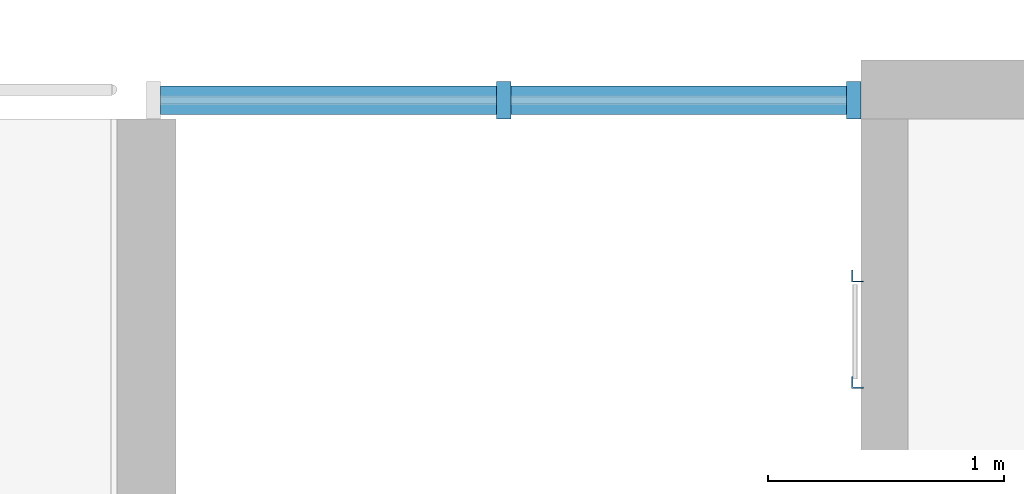
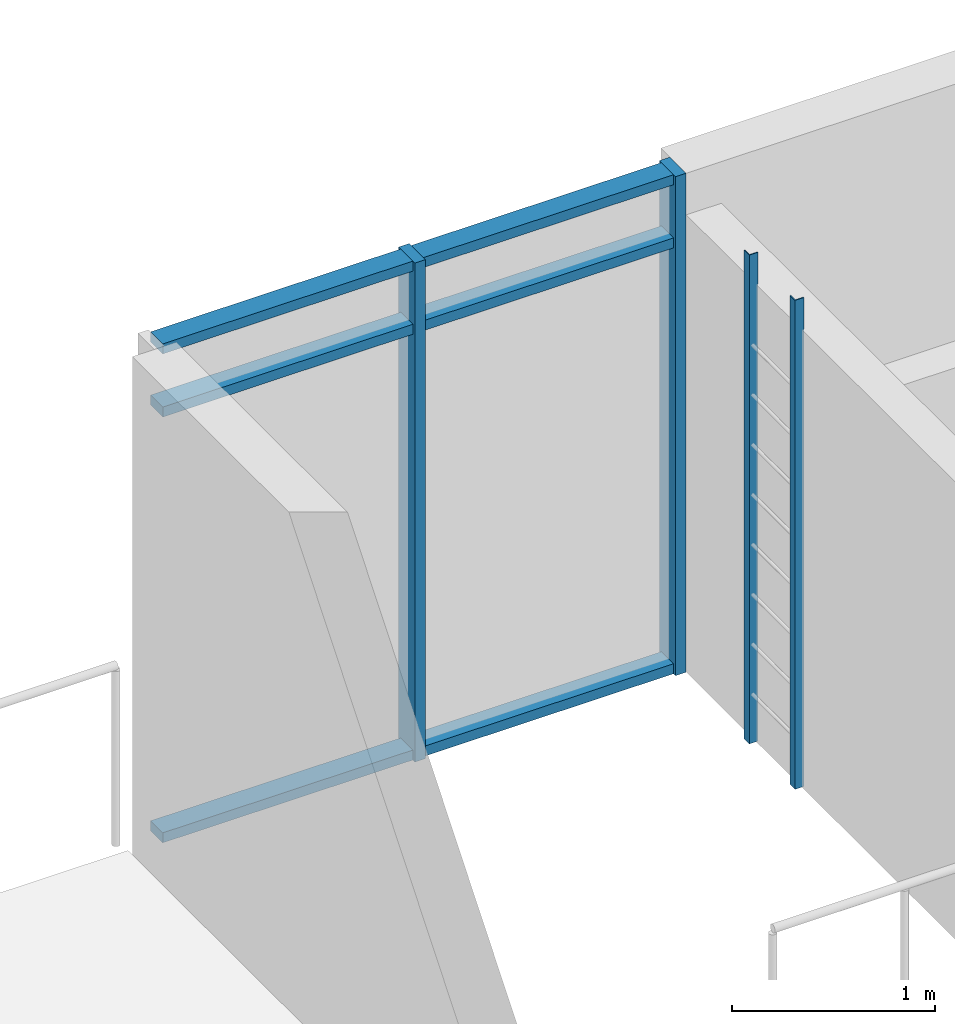
# One storey, part 6 of 55: 10 members, 1 element without a shape of its own.
"""IFC4 building model written with IfcOpenShell, lengths in metres."""

from ifc_helpers import new_model, si_unit, direction, frame, origin, origin_2d, place, context, subcontext, project, spatial, polyline, rectangle, outline, extrude, material, material_profile, profile_set, type_object, element, aggregate, save


model = new_model("IFC4")

# Units and contexts
model_context = context("Model", 3, precision=1e-05, world=origin(), true_north=direction((0.0, 1.0)))
body_context = subcontext(model_context, "Body", "Model", "MODEL_VIEW")
ifc_project = project(units=[si_unit("LENGTHUNIT", "METRE"), si_unit("AREAUNIT", "SQUARE_METRE"), si_unit("VOLUMEUNIT", "CUBIC_METRE"), si_unit("PLANEANGLEUNIT", "RADIAN"), si_unit("MASSUNIT", "GRAM", prefix="KILO")], contexts=[model_context])

# Site, building, storey
site_placement = place(None, origin())
site = spatial("IfcSite", under=ifc_project, at=site_placement, CompositionType="ELEMENT")
building_placement = place(site_placement, origin())
building = spatial("IfcBuilding", under=site, at=building_placement, Name="Ridgestep Commons", CompositionType="ELEMENT")
storey_placement = place(building_placement, frame((0.0, 0.0, 36.0)))
storey = spatial("IfcBuildingStorey", under=building, at=storey_placement, Name="L12", CompositionType="ELEMENT", Elevation=36.0)

# Members
ifc_material_1 = material(Name="Structural steel S355JR", Category="steel")
ifc_material_profile_1 = material_profile(ifc_material_1, outline(polyline([(-0.014404296875, -0.014404296875), (0.03564453125, -0.014404296875), (0.03564453125, -0.00927734375), (-0.00927734375, -0.00927734375), (-0.00927734375, 0.03564453125), (-0.014404296875, 0.03564453125), (-0.014404296875, -0.014404296875)])), Name="EA 50x50x5")
ifc_profile_set_1 = profile_set([ifc_material_profile_1], Name="Structural steel S355JR")
member_type_1 = type_object("IfcMemberType", Name="Core ladder stile EA 50x50x5", PredefinedType="STRINGER", material=ifc_profile_set_1)
for number, where, z_axis, x_axis, name in (
    (1, (42.60009765625, 21.625, 0.0), (0.0, 0.0, 1.0), (1.0, 0.0, 0.0), "Ladder stile A2C.1"),
    (2, (42.60009765625, 22.074951171875, 0.0), (0.0, 0.0, 1.0), (1.0, 0.0, 0.0), "Ladder stile A2C.2"),
):
    element("IfcMember", number, at=place(storey_placement, frame(where, z_axis=z_axis, x_axis=x_axis)), inside=storey, type_object=member_type_1, Name=name, PredefinedType="STRINGER", context=body_context, shape_type="SweptSolid", body=[
        extrude(outline(polyline([(-0.014404296875, -0.014404296875), (0.03564453125, -0.014404296875), (0.03564453125, -0.00927734375), (-0.00927734375, -0.00927734375), (-0.00927734375, 0.03564453125), (-0.014404296875, 0.03564453125), (-0.014404296875, -0.014404296875)])), origin(), (0.0, 0.0, 1.0), 2.93994140625),
    ])

# Curtain wall, members
ifc_material_2 = material(Name="Aluminium 6063-T6 and glass", Category="aluminium")
curtain_wall_type = type_object("IfcCurtainWallType", Name="Curtain wall stair strip", PredefinedType="NOTDEFINED", material=ifc_material_2)
curtain_wall_placement = place(storey_placement, origin())
curtain_wall = element("IfcCurtainWall", 3, at=curtain_wall_placement, inside=storey, type_object=curtain_wall_type, Name="Curtain wall A2C level 12", PredefinedType="NOTDEFINED")
ifc_material_3 = material(Name="Aluminium 6063-T6", Category="aluminium")
ifc_material_profile_2 = material_profile(ifc_material_3, rectangle(XDim=0.159912109375, YDim=0.06005859375, at=origin_2d()), Name="Mullion 60 x 160")
ifc_profile_set_2 = profile_set([ifc_material_profile_2], Name="Aluminium 6063-T6")
member_type_2 = type_object("IfcMemberType", Name="Mullion 60 x 160", PredefinedType="MULLION", material=ifc_profile_set_2)
member_1_placement = place(storey_placement, frame((41.112548828125, 22.830078125, 0.0), z_axis=(0.0, 0.0, 1.0), x_axis=(0.0, 1.0, 0.0)))
member_1 = element("IfcMember", 4, at=member_1_placement, type_object=member_type_2, Name="CW1 mullion 2", PredefinedType="MULLION", context=body_context, shape_type="SweptSolid", body=[
    extrude(rectangle(XDim=0.159912109375, YDim=0.06005859375, at=origin_2d()), origin(), (0.0, 0.0, 1.0), 3.0),
])
member_2_placement = place(storey_placement, frame((42.594970703125, 22.830078125, 0.0), z_axis=(0.0, 0.0, 1.0), x_axis=(0.0, 1.0, 0.0)))
member_2 = element("IfcMember", 5, at=member_2_placement, type_object=member_type_2, Name="CW1 mullion 3", PredefinedType="MULLION", context=body_context, shape_type="SweptSolid", body=[
    extrude(rectangle(XDim=0.159912109375, YDim=0.06005859375, at=origin_2d()), origin(), (0.0, 0.0, 1.0), 3.0),
])
ifc_material_4 = material(Name="Aluminium 6063-T6", Category="aluminium")
ifc_material_profile_3 = material_profile(ifc_material_4, rectangle(XDim=0.1201171875, YDim=0.06005859375, at=origin_2d()), Name="Transom 60 x 120")
ifc_profile_set_3 = profile_set([ifc_material_profile_3], Name="Aluminium 6063-T6")
member_type_3 = type_object("IfcMemberType", Name="Transom 60 x 120", PredefinedType="USERDEFINED", material=ifc_profile_set_3)
member_3_placement = place(storey_placement, frame((39.659912109375, 22.830078125, 0.030029296875), z_axis=(1.0, 0.0, 0.0), x_axis=(0.0, 1.0, 0.0)))
member_3 = element("IfcMember", 6, at=member_3_placement, type_object=member_type_3, Name="CW1 transom 1.1", ObjectType="TRANSOM", PredefinedType="USERDEFINED", context=body_context, shape_type="SweptSolid", body=[
    extrude(rectangle(XDim=0.1201171875, YDim=0.06005859375, at=origin_2d()), origin(), (0.0, 0.0, 1.0), 1.422607421875),
])
member_4_placement = place(storey_placement, frame((39.659912109375, 22.830078125, 2.590087890625), z_axis=(1.0, 0.0, 0.0), x_axis=(0.0, 1.0, 0.0)))
member_4 = element("IfcMember", 7, at=member_4_placement, type_object=member_type_3, Name="CW1 transom 1.2", ObjectType="TRANSOM", PredefinedType="USERDEFINED", context=body_context, shape_type="SweptSolid", body=[
    extrude(rectangle(XDim=0.1201171875, YDim=0.06005859375, at=origin_2d()), origin(), (0.0, 0.0, 1.0), 1.422607421875),
])
member_5_placement = place(storey_placement, frame((39.659912109375, 22.830078125, 2.969970703125), z_axis=(1.0, 0.0, 0.0), x_axis=(0.0, 1.0, 0.0)))
member_5 = element("IfcMember", 8, at=member_5_placement, type_object=member_type_3, Name="CW1 transom 1.3", ObjectType="TRANSOM", PredefinedType="USERDEFINED", context=body_context, shape_type="SweptSolid", body=[
    extrude(rectangle(XDim=0.1201171875, YDim=0.06005859375, at=origin_2d()), origin(), (0.0, 0.0, 1.0), 1.422607421875),
])
member_6_placement = place(storey_placement, frame((41.142578125, 22.830078125, 0.030029296875), z_axis=(1.0, 0.0, 0.0), x_axis=(0.0, 1.0, 0.0)))
member_6 = element("IfcMember", 9, at=member_6_placement, type_object=member_type_3, Name="CW1 transom 2.1", ObjectType="TRANSOM", PredefinedType="USERDEFINED", context=body_context, shape_type="SweptSolid", body=[
    extrude(rectangle(XDim=0.1201171875, YDim=0.06005859375, at=origin_2d()), origin(), (0.0, 0.0, 1.0), 1.42236328125),
])
member_7_placement = place(storey_placement, frame((41.142578125, 22.830078125, 2.590087890625), z_axis=(1.0, 0.0, 0.0), x_axis=(0.0, 1.0, 0.0)))
member_7 = element("IfcMember", 10, at=member_7_placement, type_object=member_type_3, Name="CW1 transom 2.2", ObjectType="TRANSOM", PredefinedType="USERDEFINED", context=body_context, shape_type="SweptSolid", body=[
    extrude(rectangle(XDim=0.1201171875, YDim=0.06005859375, at=origin_2d()), origin(), (0.0, 0.0, 1.0), 1.42236328125),
])
member_8_placement = place(storey_placement, frame((41.142578125, 22.830078125, 2.969970703125), z_axis=(1.0, 0.0, 0.0), x_axis=(0.0, 1.0, 0.0)))
member_8 = element("IfcMember", 11, at=member_8_placement, type_object=member_type_3, Name="CW1 transom 2.3", ObjectType="TRANSOM", PredefinedType="USERDEFINED", context=body_context, shape_type="SweptSolid", body=[
    extrude(rectangle(XDim=0.1201171875, YDim=0.06005859375, at=origin_2d()), origin(), (0.0, 0.0, 1.0), 1.42236328125),
])
aggregate(curtain_wall, [member_1, member_2, member_3, member_4, member_5, member_6, member_7, member_8])

save(model, "model.ifc")
